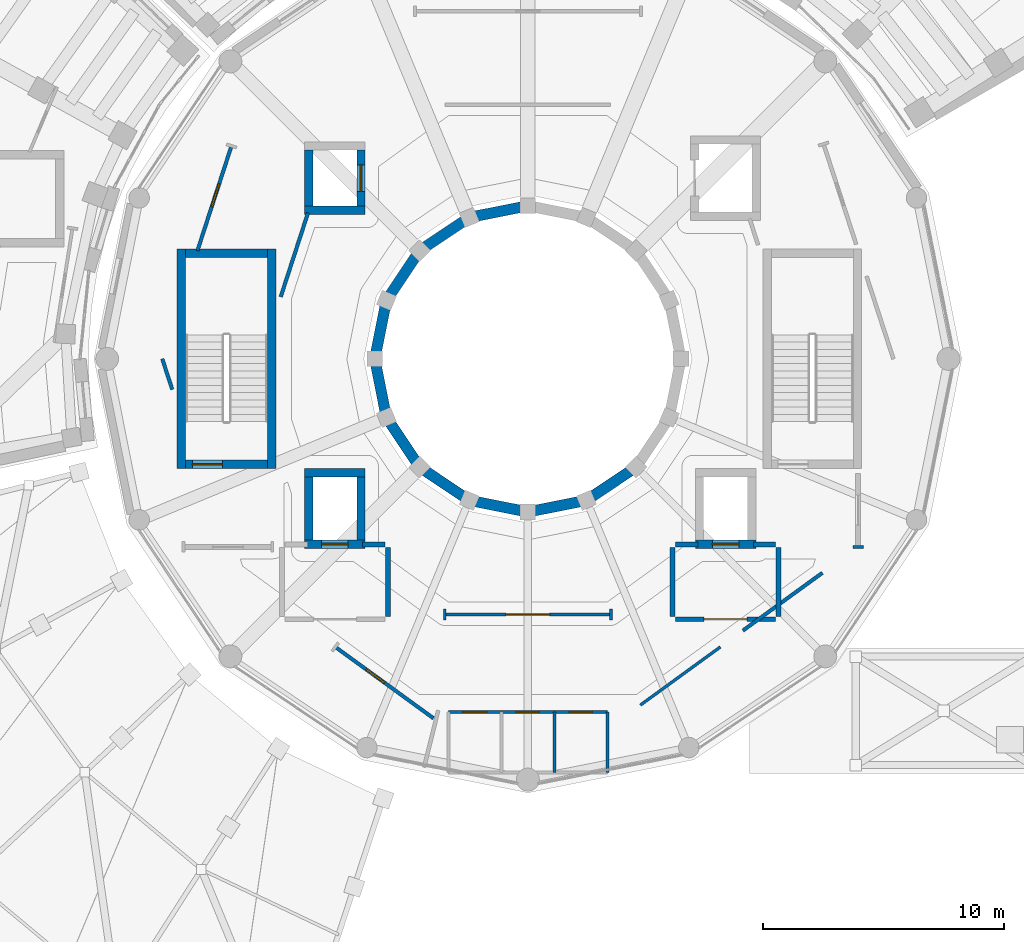
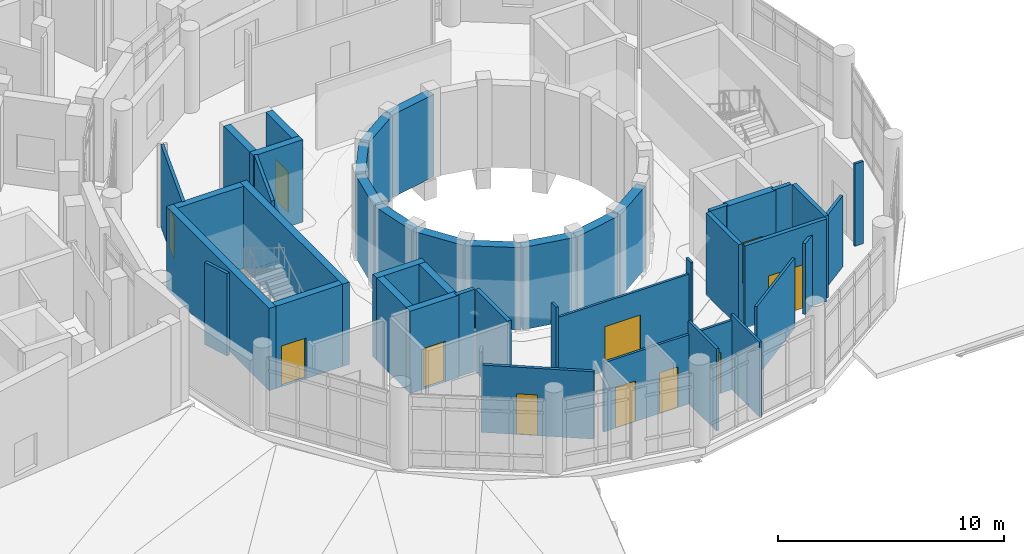
# One storey, part 50 of 75: 42 walls, 11 doors, 11 openings.
"""IFC4 building model written with IfcOpenShell, lengths in metres."""

from ifc_helpers import new_model, si_unit, direction, frame, frame_2d, origin, place, context, subcontext, project, spatial, rectangle, extrude, material, layer, layer_set, type_object, element, fill, save


model = new_model("IFC4")

# Units and contexts
model_context = context("Model", 3, precision=1e-05, world=origin(), true_north=direction((0.0, 1.0)))
body_context = subcontext(model_context, "Body", "Model", "MODEL_VIEW")
ifc_project = project(units=[si_unit("LENGTHUNIT", "METRE"), si_unit("AREAUNIT", "SQUARE_METRE"), si_unit("VOLUMEUNIT", "CUBIC_METRE"), si_unit("PLANEANGLEUNIT", "RADIAN"), si_unit("MASSUNIT", "GRAM", prefix="KILO")], contexts=[model_context])

# Site, building, storey
site_placement = place(None, origin())
site = spatial("IfcSite", under=ifc_project, at=site_placement, CompositionType="ELEMENT")
building_placement = place(site_placement, origin())
building = spatial("IfcBuilding", under=site, at=building_placement, Name="Soyqirgoq Riverine Aquarium", CompositionType="ELEMENT")
storey_placement = place(building_placement, frame((0.0, 0.0, 10.199951171875)))
storey = spatial("IfcBuildingStorey", under=building, at=storey_placement, Name="L03", CompositionType="ELEMENT", Elevation=10.199951171875)

# Wall, opening, door
ifc_material_1 = material(Name="Concrete C40/50", Category="concrete")
ifc_layer_1 = layer(ifc_material_1, 0.35009765625)
ifc_layer_set_1 = layer_set([ifc_layer_1], Name="Concrete C40/50")
wall_type_1 = type_object("IfcWallType", Name="CoreShearWall_350_C40", PredefinedType="SHEAR", material=ifc_layer_set_1)
wall_1_placement = place(storey_placement, frame((62.945068359375, 49.320068359375, 0.0), z_axis=(0.0, 0.0, 1.0), x_axis=(1.0, 0.0, 0.0)))
wall_1 = element("IfcWall", 1, at=wall_1_placement, inside=storey, type_object=wall_type_1, Name="Lift FFL-1 Shaft Wall L03 1", PredefinedType="SHEAR", context=body_context, shape_type="SweptSolid", body=[
    extrude(rectangle(XDim=2.510009765625, YDim=0.35009765625, at=frame_2d((1.2548828125, 0.0))), origin(), (0.0, 0.0, 1.0), 4.449951171875),
])
opening_1_placement = place(wall_1_placement, frame((0.705078125, 0.0, 0.0)))
opening_1 = element("IfcOpeningElement", 2, at=opening_1_placement, cuts=wall_1, Name="Opening LD-01", PredefinedType="OPENING", context=body_context, shape_type="SweptSolid", body=[
    extrude(rectangle(XDim=1.10009765625, YDim=2.199951171875, at=frame_2d((0.550048828125, 1.10009765625))), frame((0.0, 0.18505859375, 0.0), z_axis=(0.0, -1.0, 0.0), x_axis=(1.0, 0.0, 0.0)), (0.0, 0.0, 1.0), 0.3701171875),
])
ifc_material_2 = material(Name="Brushed stainless steel telescopic lift landing door", Category="steel")
door_type_1 = type_object("IfcDoorType", Name="LiftLandingDoor_1100x2200", OperationType="SLIDING_TO_LEFT", PredefinedType="DOOR", material=ifc_material_2)
door_1_placement = place(opening_1_placement, origin())
door_1 = element("IfcDoor", 3, at=door_1_placement, inside=storey, type_object=door_type_1, Name="LD-FFL-1-L03 Lift FFL-1 L03 Sliding Landing Door", OperationType="SLIDING_TO_LEFT", OverallHeight=2.199951171875, OverallWidth=1.10009765625, PredefinedType="DOOR", context=body_context, shape_type="SweptSolid", body=[
    extrude(rectangle(XDim=1.10009765625, YDim=2.199951171875, at=frame_2d((0.550048828125, 1.10009765625))), frame((0.0, 0.02490234375, 0.0), z_axis=(0.0, -1.0, 0.0), x_axis=(1.0, 0.0, 0.0)), (0.0, 0.0, 1.0), 0.050048828125),
])
fill(opening_1, door_1)

# Walls
wall_2_placement = place(storey_placement, frame((45.375, 52.449951171875, 0.0), z_axis=(0.0, 0.0, 1.0), x_axis=(0.0, 1.0, 0.0)))
element("IfcWall", 4, at=wall_2_placement, inside=storey, type_object=wall_type_1, Name="CORE-1B L03 Stair Core Shear Wall SIDE1", PredefinedType="SHEAR", context=body_context, shape_type="SweptSolid", body=[
    extrude(rectangle(XDim=9.10009765625, YDim=0.35009765625, at=frame_2d((4.550048828125, 0.0))), origin(), (0.0, 0.0, 1.0), 4.449951171875),
])
wall_3_placement = place(storey_placement, frame((45.199951171875, 61.375, 0.0), z_axis=(0.0, 0.0, 1.0), x_axis=(-1.0, 0.0, 0.0)))
element("IfcWall", 5, at=wall_3_placement, inside=storey, type_object=wall_type_1, Name="CORE-1B L03 Stair Core Shear Wall BACK", PredefinedType="SHEAR", context=body_context, shape_type="SweptSolid", body=[
    extrude(rectangle(XDim=3.39990234375, YDim=0.35009765625, at=frame_2d((1.699951171875, 0.0))), origin(), (0.0, 0.0, 1.0), 4.449951171875),
])
wall_4_placement = place(storey_placement, frame((41.625, 61.550048828125, 0.0), z_axis=(0.0, 0.0, 1.0), x_axis=(0.0, -1.0, 0.0)))
element("IfcWall", 6, at=wall_4_placement, inside=storey, type_object=wall_type_1, Name="CORE-1B L03 Stair Core Shear Wall SIDE2", PredefinedType="SHEAR", context=body_context, shape_type="SweptSolid", body=[
    extrude(rectangle(XDim=9.10009765625, YDim=0.35009765625, at=frame_2d((4.550048828125, 0.0))), origin(), (0.0, 0.0, 1.0), 4.449951171875),
])

# Wall, opening, door
wall_5_placement = place(storey_placement, frame((41.800048828125, 52.625, 0.0), z_axis=(0.0, 0.0, 1.0), x_axis=(1.0, 0.0, 0.0)))
wall_5 = element("IfcWall", 7, at=wall_5_placement, inside=storey, type_object=wall_type_1, Name="CORE-1B L03 Stair Core Shear Wall FRONT", PredefinedType="SHEAR", context=body_context, shape_type="SweptSolid", body=[
    extrude(rectangle(XDim=3.39990234375, YDim=0.35009765625, at=frame_2d((1.699951171875, 0.0))), origin(), (0.0, 0.0, 1.0), 4.449951171875),
])
opening_2_placement = place(wall_5_placement, frame((0.280029296875, 0.0, 0.0)))
opening_2 = element("IfcOpeningElement", 8, at=opening_2_placement, cuts=wall_5, Name="Opening FD-01", PredefinedType="OPENING", context=body_context, shape_type="SweptSolid", body=[
    extrude(rectangle(XDim=1.25, YDim=2.199951171875, at=frame_2d((0.625, 1.10009765625))), frame((0.0, 0.18505859375, 0.0), z_axis=(0.0, -1.0, 0.0), x_axis=(1.0, 0.0, 0.0)), (0.0, 0.0, 1.0), 0.3701171875),
])
ifc_material_3 = material(Name="Galvanised steel fire-resisting stair door", Category="steel")
door_type_2 = type_object("IfcDoorType", Name="StairFireDoor_1250x2200_EI90", OperationType="NOTDEFINED", PredefinedType="DOOR", material=ifc_material_3)
door_2_placement = place(opening_2_placement, origin())
door_2 = element("IfcDoor", 9, at=door_2_placement, inside=storey, type_object=door_type_2, Name="DR-ST-9-L03 ST-9 L03 Fire-Rated Stairwell Door", OperationType="SINGLE_SWING_RIGHT", OverallHeight=2.199951171875, OverallWidth=1.25, PredefinedType="DOOR", context=body_context, shape_type="SweptSolid", body=[
    extrude(rectangle(XDim=1.25, YDim=2.199951171875, at=frame_2d((0.625, 1.10009765625))), frame((0.0, 0.02490234375, 0.0), z_axis=(0.0, -1.0, 0.0), x_axis=(1.0, 0.0, 0.0)), (0.0, 0.0, 1.0), 0.050048828125),
])
fill(opening_2, door_2)

wall_6_placement = place(storey_placement, frame((46.7451171875, 49.320068359375, 0.0), z_axis=(0.0, 0.0, 1.0), x_axis=(1.0, 0.0, 0.0)))
wall_6 = element("IfcWall", 10, at=wall_6_placement, inside=storey, type_object=wall_type_1, Name="Lift FFL-2 Shaft Wall L03 1", PredefinedType="SHEAR", context=body_context, shape_type="SweptSolid", body=[
    extrude(rectangle(XDim=2.509765625, YDim=0.35009765625, at=frame_2d((1.2548828125, 0.0))), origin(), (0.0, 0.0, 1.0), 4.449951171875),
])
opening_3_placement = place(wall_6_placement, frame((0.705078125, 0.0, 0.0)))
opening_3 = element("IfcOpeningElement", 11, at=opening_3_placement, cuts=wall_6, Name="Opening LD-01", PredefinedType="OPENING", context=body_context, shape_type="SweptSolid", body=[
    extrude(rectangle(XDim=1.10009765625, YDim=2.199951171875, at=frame_2d((0.550048828125, 1.10009765625))), frame((0.0, 0.18505859375, 0.0), z_axis=(0.0, -1.0, 0.0), x_axis=(1.0, 0.0, 0.0)), (0.0, 0.0, 1.0), 0.3701171875),
])
door_3_placement = place(opening_3_placement, origin())
door_3 = element("IfcDoor", 12, at=door_3_placement, inside=storey, type_object=door_type_1, Name="LD-FFL-2-L03 Lift FFL-2 L03 Sliding Landing Door", OperationType="SLIDING_TO_LEFT", OverallHeight=2.199951171875, OverallWidth=1.10009765625, PredefinedType="DOOR", context=body_context, shape_type="SweptSolid", body=[
    extrude(rectangle(XDim=1.10009765625, YDim=2.199951171875, at=frame_2d((0.550048828125, 1.10009765625))), frame((0.0, 0.02490234375, 0.0), z_axis=(0.0, -1.0, 0.0), x_axis=(1.0, 0.0, 0.0)), (0.0, 0.0, 1.0), 0.050048828125),
])
fill(opening_3, door_3)

# Walls
wall_7_placement = place(storey_placement, frame((49.080078125, 49.4951171875, 0.0), z_axis=(0.0, 0.0, 1.0), x_axis=(0.0, 1.0, 0.0)))
element("IfcWall", 13, at=wall_7_placement, inside=storey, type_object=wall_type_1, Name="Lift FFL-2 Shaft Wall L03 2", PredefinedType="SHEAR", context=body_context, shape_type="SweptSolid", body=[
    extrude(rectangle(XDim=2.60986328125, YDim=0.35009765625, at=frame_2d((1.304931640625, 0.0))), origin(), (0.0, 0.0, 1.0), 4.449951171875),
])
wall_8_placement = place(storey_placement, frame((49.2548828125, 52.280029296875, 0.0), z_axis=(0.0, 0.0, 1.0), x_axis=(-1.0, 0.0, 0.0)))
element("IfcWall", 14, at=wall_8_placement, inside=storey, type_object=wall_type_1, Name="Lift FFL-2 Shaft Wall L03 3", PredefinedType="SHEAR", context=body_context, shape_type="SweptSolid", body=[
    extrude(rectangle(XDim=2.509765625, YDim=0.35009765625, at=frame_2d((1.2548828125, 0.0))), origin(), (0.0, 0.0, 1.0), 4.449951171875),
])
wall_9_placement = place(storey_placement, frame((46.919921875, 52.10498046875, 0.0), z_axis=(0.0, 0.0, 1.0), x_axis=(0.0, -1.0, 0.0)))
element("IfcWall", 15, at=wall_9_placement, inside=storey, type_object=wall_type_1, Name="Lift FFL-2 Shaft Wall L03 4", PredefinedType="SHEAR", context=body_context, shape_type="SweptSolid", body=[
    extrude(rectangle(XDim=2.60986328125, YDim=0.35009765625, at=frame_2d((1.304931640625, 0.0))), origin(), (0.0, 0.0, 1.0), 4.449951171875),
])
wall_10_placement = place(storey_placement, frame((46.7451171875, 63.169921875, 0.0), z_axis=(0.0, 0.0, 1.0), x_axis=(1.0, 0.0, 0.0)))
element("IfcWall", 16, at=wall_10_placement, inside=storey, type_object=wall_type_1, Name="Lift PL-1 Shaft Wall L03 1", PredefinedType="SHEAR", context=body_context, shape_type="SweptSolid", body=[
    extrude(rectangle(XDim=2.509765625, YDim=0.35009765625, at=frame_2d((1.2548828125, 0.0))), origin(), (0.0, 0.0, 1.0), 4.449951171875),
])

# Wall, opening, door
wall_11_placement = place(storey_placement, frame((49.080078125, 63.344970703125, 0.0), z_axis=(0.0, 0.0, 1.0), x_axis=(0.0, 1.0, 0.0)))
wall_11 = element("IfcWall", 17, at=wall_11_placement, inside=storey, type_object=wall_type_1, Name="Lift PL-1 Shaft Wall L03 2", PredefinedType="SHEAR", context=body_context, shape_type="SweptSolid", body=[
    extrude(rectangle(XDim=2.31005859375, YDim=0.35009765625, at=frame_2d((1.155029296875, 0.0))), origin(), (0.0, 0.0, 1.0), 4.449951171875),
])
opening_4_placement = place(wall_11_placement, frame((0.60498046875, 0.0, 0.0)))
opening_4 = element("IfcOpeningElement", 18, at=opening_4_placement, cuts=wall_11, Name="Opening LD-01", PredefinedType="OPENING", context=body_context, shape_type="SweptSolid", body=[
    extrude(rectangle(XDim=1.10009765625, YDim=2.199951171875, at=frame_2d((0.550048828125, 1.10009765625))), frame((0.0, 0.18505859375, 0.0), z_axis=(0.0, -1.0, 0.0), x_axis=(1.0, 0.0, 0.0)), (0.0, 0.0, 1.0), 0.3701171875),
])
door_4_placement = place(opening_4_placement, origin())
door_4 = element("IfcDoor", 19, at=door_4_placement, inside=storey, type_object=door_type_1, Name="LD-PL-1-L03 Lift PL-1 L03 Sliding Landing Door", OperationType="SLIDING_TO_LEFT", OverallHeight=2.199951171875, OverallWidth=1.10009765625, PredefinedType="DOOR", context=body_context, shape_type="SweptSolid", body=[
    extrude(rectangle(XDim=1.10009765625, YDim=2.199951171875, at=frame_2d((0.550048828125, 1.10009765625))), frame((0.0, 0.02490234375, 0.0), z_axis=(0.0, -1.0, 0.0), x_axis=(1.0, 0.0, 0.0)), (0.0, 0.0, 1.0), 0.050048828125),
])
fill(opening_4, door_4)

# Walls
wall_12_placement = place(storey_placement, frame((46.919921875, 65.655029296875, 0.0), z_axis=(0.0, 0.0, 1.0), x_axis=(0.0, -1.0, 0.0)))
element("IfcWall", 20, at=wall_12_placement, inside=storey, type_object=wall_type_1, Name="Lift PL-1 Shaft Wall L03 4", PredefinedType="SHEAR", context=body_context, shape_type="SweptSolid", body=[
    extrude(rectangle(XDim=2.31005859375, YDim=0.35009765625, at=frame_2d((1.155029296875, 0.0))), origin(), (0.0, 0.0, 1.0), 4.449951171875),
])
ifc_material_4 = material(Name="Concrete C40/50", Category="concrete")
ifc_layer_2 = layer(ifc_material_4, 0.449951171875)
ifc_layer_set_2 = layer_set([ifc_layer_2], Name="Concrete C40/50")
wall_type_2 = type_object("IfcWallType", Name="CoreShearWall_450_C40", PredefinedType="SHEAR", material=ifc_layer_set_2)
wall_13_placement = place(storey_placement, frame((56.0, 63.35009765625, 0.0), z_axis=(0.0, 0.0, 1.0), x_axis=(-0.980781033872, -0.195111669554, 0.0)))
element("IfcWall", 21, at=wall_13_placement, inside=storey, type_object=wall_type_2, Name="Ocean Tank Containment Wall Segment 05 L03", PredefinedType="SHEAR", context=body_context, shape_type="SweptSolid", body=[
    extrude(rectangle(XDim=2.4775390625, YDim=0.449951171875, at=frame_2d((1.23876953125, 0.0))), origin(), (0.0, 0.0, 1.0), 4.449951171875),
])
for number, where, z_axis, x_axis, name in (
    (22, (53.570068359375, 62.86669921875, 0.0), (0.0, 0.0, 1.0), (-0.831428251117, -0.55563212942, 0.0), "Ocean Tank Containment Wall Segment 06 L03"),
    (23, (51.510009765625, 61.489990234375, 0.0), (0.0, 0.0, 1.0), (-0.55563212942, -0.831428251117, 0.0), "Ocean Tank Containment Wall Segment 07 L03"),
):
    element("IfcWall", number, at=place(storey_placement, frame(where, z_axis=z_axis, x_axis=x_axis)), inside=storey, type_object=wall_type_2, Name=name, PredefinedType="SHEAR", context=body_context, shape_type="SweptSolid", body=[
        extrude(rectangle(XDim=2.477783203125, YDim=0.449951171875, at=frame_2d((1.23876953125, 0.0))), origin(), (0.0, 0.0, 1.0), 4.449951171875),
    ])
for number, where, z_axis, x_axis, name in (
    (24, (50.13330078125, 59.429931640625, 0.0), (0.0, 0.0, 1.0), (-0.195111669554, -0.980781033872, 0.0), "Ocean Tank Containment Wall Segment 08 L03"),
    (25, (49.64990234375, 57.0, 0.0), (0.0, 0.0, 1.0), (0.195111669554, -0.980781033872, 0.0), "Ocean Tank Containment Wall Segment 09 L03"),
):
    element("IfcWall", number, at=place(storey_placement, frame(where, z_axis=z_axis, x_axis=x_axis)), inside=storey, type_object=wall_type_2, Name=name, PredefinedType="SHEAR", context=body_context, shape_type="SweptSolid", body=[
        extrude(rectangle(XDim=2.4775390625, YDim=0.449951171875, at=frame_2d((1.23876953125, 0.0))), origin(), (0.0, 0.0, 1.0), 4.449951171875),
    ])
for number, where, z_axis, x_axis, name in (
    (26, (50.13330078125, 54.570068359375, 0.0), (0.0, 0.0, 1.0), (0.55563212942, -0.831428251117, 0.0), "Ocean Tank Containment Wall Segment 10 L03"),
    (27, (51.510009765625, 52.510009765625, 0.0), (0.0, 0.0, 1.0), (0.831428251117, -0.55563212942, 0.0), "Ocean Tank Containment Wall Segment 11 L03"),
):
    element("IfcWall", number, at=place(storey_placement, frame(where, z_axis=z_axis, x_axis=x_axis)), inside=storey, type_object=wall_type_2, Name=name, PredefinedType="SHEAR", context=body_context, shape_type="SweptSolid", body=[
        extrude(rectangle(XDim=2.477783203125, YDim=0.449951171875, at=frame_2d((1.23876953125, 0.0))), origin(), (0.0, 0.0, 1.0), 4.449951171875),
    ])
for number, where, z_axis, x_axis, name in (
    (28, (53.570068359375, 51.13330078125, 0.0), (0.0, 0.0, 1.0), (0.980781033872, -0.195111669554, 0.0), "Ocean Tank Containment Wall Segment 12 L03"),
    (29, (56.0, 50.64990234375, 0.0), (0.0, 0.0, 1.0), (0.980781033872, 0.195111669554, 0.0), "Ocean Tank Containment Wall Segment 13 L03"),
):
    element("IfcWall", number, at=place(storey_placement, frame(where, z_axis=z_axis, x_axis=x_axis)), inside=storey, type_object=wall_type_2, Name=name, PredefinedType="SHEAR", context=body_context, shape_type="SweptSolid", body=[
        extrude(rectangle(XDim=2.4775390625, YDim=0.449951171875, at=frame_2d((1.23876953125, 0.0))), origin(), (0.0, 0.0, 1.0), 4.449951171875),
    ])
wall_14_placement = place(storey_placement, frame((58.429931640625, 51.13330078125, 0.0), z_axis=(0.0, 0.0, 1.0), x_axis=(0.831428251117, 0.55563212942, 0.0)))
element("IfcWall", 30, at=wall_14_placement, inside=storey, type_object=wall_type_2, Name="Ocean Tank Containment Wall Segment 14 L03", PredefinedType="SHEAR", context=body_context, shape_type="SweptSolid", body=[
    extrude(rectangle(XDim=2.477783203125, YDim=0.449951171875, at=frame_2d((1.23876953125, 0.0))), origin(), (0.0, 0.0, 1.0), 4.449951171875),
])

# Wall, opening, door
ifc_material_5 = material(Name="Lightweight steel-stud gypsum partition", Category="steel")
ifc_layer_3 = layer(ifc_material_5, 0.1201171875)
ifc_layer_set_3 = layer_set([ifc_layer_3], Name="Lightweight steel-stud gypsum partition")
wall_type_3 = type_object("IfcWallType", Name="PartitionWall_120_Std", PredefinedType="PARTITIONING", material=ifc_layer_set_3)
wall_15_placement = place(storey_placement, frame((59.445556640625, 46.395751953125, 0.0), z_axis=(0.0, 0.0, 1.0), x_axis=(-1.0, 0.0, 0.0)))
wall_15 = element("IfcWall", 31, at=wall_15_placement, inside=storey, type_object=wall_type_3, Name="Ocean Drum Circulation Corridor Partition Wall", PredefinedType="PARTITIONING", context=body_context, shape_type="SweptSolid", body=[
    extrude(rectangle(XDim=6.89111328125, YDim=0.1201171875, at=frame_2d((3.445556640625, 0.0))), origin(), (0.0, 0.0, 1.0), 3.739990234375),
])
opening_5_placement = place(wall_15_placement, frame((2.54541015625, 0.0, 0.0)))
opening_5 = element("IfcOpeningElement", 32, at=opening_5_placement, cuts=wall_15, Name="Opening ID-01", PredefinedType="OPENING", context=body_context, shape_type="SweptSolid", body=[
    extrude(rectangle(XDim=1.800048828125, YDim=2.39990234375, at=frame_2d((0.89990234375, 1.199951171875))), frame((0.0, 0.070068359375, 0.0), z_axis=(0.0, -1.0, 0.0), x_axis=(1.0, 0.0, 0.0)), (0.0, 0.0, 1.0), 0.14013671875),
])
ifc_material_6 = material(Name="Acoustic timber-framed glazed gallery double door", Category="wood")
door_type_3 = type_object("IfcDoorType", Name="GalleryDoubleDoor_1800x2400", OperationType="DOUBLE_DOOR_SINGLE_SWING", PredefinedType="DOOR", material=ifc_material_6)
door_5_placement = place(opening_5_placement, origin())
door_5 = element("IfcDoor", 33, at=door_5_placement, inside=storey, type_object=door_type_3, Name="IDR-V1-L03-0038 Kelp Canopy Viewing Terrace Room Door", OperationType="DOUBLE_DOOR_SINGLE_SWING", OverallHeight=2.39990234375, OverallWidth=1.800048828125, PredefinedType="DOOR", context=body_context, shape_type="SweptSolid", body=[
    extrude(rectangle(XDim=1.800048828125, YDim=2.39990234375, at=frame_2d((0.89990234375, 1.199951171875))), frame((0.0, 0.02490234375, 0.0), z_axis=(0.0, -1.0, 0.0), x_axis=(1.0, 0.0, 0.0)), (0.0, 0.0, 1.0), 0.050048828125),
])
fill(opening_5, door_5)

# Walls
wall_16_placement = place(storey_placement, frame((60.666259765625, 42.638916015625, 0.0), z_axis=(0.0, 0.0, 1.0), x_axis=(0.808993389874, 0.587817739729, 0.0)))
element("IfcWall", 34, at=wall_16_placement, inside=storey, type_object=wall_type_3, Name="Ocean Drum Circulation Corridor Partition Wall", PredefinedType="PARTITIONING", context=body_context, shape_type="SweptSolid", body=[
    extrude(rectangle(XDim=4.101806640625, YDim=0.1201171875, at=frame_2d((2.05078125, 0.0))), origin(), (0.0, 0.0, 1.0), 3.7900390625),
])
for number, where, z_axis, x_axis, name in (
    (35, (69.919921875, 49.199951171875, 0.0), (0.0, 0.0, 1.0), (-1.0, 0.0, 0.0), "V1 L03 Jamb Return Pier"),
    (36, (59.445556640625, 46.61572265625, 0.0), (0.0, 0.0, 1.0), (0.0, -1.0, 0.0), "V1 L03 Jamb Return Pier"),
    (37, (52.554443359375, 46.61572265625, 0.0), (0.0, 0.0, 1.0), (0.0, -1.0, 0.0), "V1 L03 Jamb Return Pier"),
):
    element("IfcWall", number, at=place(storey_placement, frame(where, z_axis=z_axis, x_axis=x_axis)), inside=storey, type_object=wall_type_3, Name=name, PredefinedType="PARTITIONING", context=body_context, shape_type="SweptSolid", body=[
        extrude(rectangle(XDim=0.43994140625, YDim=0.1201171875, at=frame_2d((0.219970703125, 0.0))), origin(), (0.0, 0.0, 1.0), 4.449951171875),
    ])

# Wall, openings, doors
ifc_material_7 = material(Name="Moisture-resistant cement-board wet-room partition", Category="gypsum")
ifc_layer_4 = layer(ifc_material_7, 0.125)
ifc_layer_set_4 = layer_set([ifc_layer_4], Name="Moisture-resistant cement-board wet-room partition")
wall_type_4 = type_object("IfcWallType", Name="PartitionWall_125_Wet", PredefinedType="PARTITIONING", material=ifc_layer_set_4)
wall_17_placement = place(storey_placement, frame((52.699951171875, 42.35009765625, 0.0), z_axis=(0.0, 0.0, 1.0), x_axis=(1.0, 0.0, 0.0)))
wall_17 = element("IfcWall", 38, at=wall_17_placement, inside=storey, type_object=wall_type_4, Name="V1 L03 WC Suite Front Wall", PredefinedType="PARTITIONING", context=body_context, shape_type="SweptSolid", body=[
    extrude(rectangle(XDim=6.60009765625, YDim=0.125, at=frame_2d((3.300048828125, 0.0))), origin(), (0.0, 0.0, 1.0), 3.739990234375),
])
opening_6_placement = place(wall_17_placement, frame((0.60009765625, 0.0, 0.0)))
opening_6 = element("IfcOpeningElement", 39, at=opening_6_placement, cuts=wall_17, Name="Opening ID-05", PredefinedType="OPENING", context=body_context, shape_type="SweptSolid", body=[
    extrude(rectangle(XDim=1.0, YDim=2.199951171875, at=frame_2d((0.5, 1.10009765625))), frame((0.0, 0.072509765625, 0.0), z_axis=(0.0, -1.0, 0.0), x_axis=(1.0, 0.0, 0.0)), (0.0, 0.0, 1.0), 0.14501953125),
])
opening_7_placement = place(wall_17_placement, frame((2.824951171875, 0.0, 0.0)))
opening_7 = element("IfcOpeningElement", 40, at=opening_7_placement, cuts=wall_17, Name="Opening ID-06", PredefinedType="OPENING", context=body_context, shape_type="SweptSolid", body=[
    extrude(rectangle(XDim=0.949951171875, YDim=2.199951171875, at=frame_2d((0.47509765625, 1.10009765625))), frame((0.0, 0.072509765625, 0.0), z_axis=(0.0, -1.0, 0.0), x_axis=(1.0, 0.0, 0.0)), (0.0, 0.0, 1.0), 0.14501953125),
])
opening_8_placement = place(wall_17_placement, frame((5.02490234375, 0.0, 0.0)))
opening_8 = element("IfcOpeningElement", 41, at=opening_8_placement, cuts=wall_17, Name="Opening ID-06", PredefinedType="OPENING", context=body_context, shape_type="SweptSolid", body=[
    extrude(rectangle(XDim=0.949951171875, YDim=2.199951171875, at=frame_2d((0.47509765625, 1.10009765625))), frame((0.0, 0.072509765625, 0.0), z_axis=(0.0, -1.0, 0.0), x_axis=(1.0, 0.0, 0.0)), (0.0, 0.0, 1.0), 0.14501953125),
])
ifc_material_8 = material(Name="Moisture-resistant HPL accessible washroom door", Category="wood")
door_type_4 = type_object("IfcDoorType", Name="AccessibleWCDoor_1000x2200", OperationType="NOTDEFINED", PredefinedType="DOOR", material=ifc_material_8)
door_6_placement = place(opening_6_placement, origin())
door_6 = element("IfcDoor", 42, at=door_6_placement, inside=storey, type_object=door_type_4, Name="IDR-V1-L03-0033 Accessible WC Door", OperationType="SINGLE_SWING_RIGHT", OverallHeight=2.199951171875, OverallWidth=1.0, PredefinedType="DOOR", context=body_context, shape_type="SweptSolid", body=[
    extrude(rectangle(XDim=1.0, YDim=2.199951171875, at=frame_2d((0.5, 1.10009765625))), frame((0.0, 0.02490234375, 0.0), z_axis=(0.0, -1.0, 0.0), x_axis=(1.0, 0.0, 0.0)), (0.0, 0.0, 1.0), 0.050048828125),
])
fill(opening_6, door_6)
ifc_material_9 = material(Name="Moisture-resistant HPL washroom door", Category="wood")
door_type_5 = type_object("IfcDoorType", Name="WCDoor_950x2200", OperationType="NOTDEFINED", PredefinedType="DOOR", material=ifc_material_9)
door_7_placement = place(opening_7_placement, origin())
door_7 = element("IfcDoor", 43, at=door_7_placement, inside=storey, type_object=door_type_5, Name="IDR-V1-L03-0034 Public Female WC Door", OperationType="SINGLE_SWING_LEFT", OverallHeight=2.199951171875, OverallWidth=0.949951171875, PredefinedType="DOOR", context=body_context, shape_type="SweptSolid", body=[
    extrude(rectangle(XDim=0.949951171875, YDim=2.199951171875, at=frame_2d((0.47509765625, 1.10009765625))), frame((0.0, 0.02490234375, 0.0), z_axis=(0.0, -1.0, 0.0), x_axis=(1.0, 0.0, 0.0)), (0.0, 0.0, 1.0), 0.050048828125),
])
fill(opening_7, door_7)
door_8_placement = place(opening_8_placement, origin())
door_8 = element("IfcDoor", 44, at=door_8_placement, inside=storey, type_object=door_type_5, Name="IDR-V1-L03-0035 Public Male WC Door", OperationType="SINGLE_SWING_RIGHT", OverallHeight=2.199951171875, OverallWidth=0.949951171875, PredefinedType="DOOR", context=body_context, shape_type="SweptSolid", body=[
    extrude(rectangle(XDim=0.949951171875, YDim=2.199951171875, at=frame_2d((0.47509765625, 1.10009765625))), frame((0.0, 0.02490234375, 0.0), z_axis=(0.0, -1.0, 0.0), x_axis=(1.0, 0.0, 0.0)), (0.0, 0.0, 1.0), 0.050048828125),
])
fill(opening_8, door_8)

# Walls
wall_18_placement = place(storey_placement, frame((59.300048828125, 39.85009765625, 0.0), z_axis=(0.0, 0.0, 1.0), x_axis=(0.0, 1.0, 0.0)))
element("IfcWall", 45, at=wall_18_placement, inside=storey, type_object=wall_type_4, Name="V1 L03 WC Suite East Wall", PredefinedType="PARTITIONING", context=body_context, shape_type="SweptSolid", body=[
    extrude(rectangle(XDim=2.5, YDim=0.125, at=frame_2d((1.25, 0.0))), origin(), (0.0, 0.0, 1.0), 4.0400390625),
])
wall_19_placement = place(storey_placement, frame((57.10009765625, 39.85009765625, 0.0), z_axis=(0.0, 0.0, 1.0), x_axis=(0.0, 1.0, 0.0)))
element("IfcWall", 46, at=wall_19_placement, inside=storey, type_object=wall_type_4, Name="V1 L03 WC Cubicle Divider 2", PredefinedType="PARTITIONING", context=body_context, shape_type="SweptSolid", body=[
    extrude(rectangle(XDim=2.5, YDim=0.125, at=frame_2d((1.25, 0.0))), origin(), (0.0, 0.0, 1.0), 4.449951171875),
])

# Wall, opening, door
ifc_material_10 = material(Name="Acoustic mineral-wool twin-stud partition", Category="gypsum")
ifc_layer_5 = layer(ifc_material_10, 0.14990234375)
ifc_layer_set_5 = layer_set([ifc_layer_5], Name="Acoustic mineral-wool twin-stud partition")
wall_type_5 = type_object("IfcWallType", Name="PartitionWall_150_Acoustic", PredefinedType="PARTITIONING", material=ifc_layer_set_5)
wall_20_placement = place(storey_placement, frame((48.015380859375, 45.050048828125, 0.0), z_axis=(0.0, 0.0, 1.0), x_axis=(0.809025533779, -0.587773498632, 0.0)))
wall_20 = element("IfcWall", 47, at=wall_20_placement, inside=storey, type_object=wall_type_5, Name="Ocean Drum Circulation Corridor Partition Wall", PredefinedType="PARTITIONING", context=body_context, shape_type="SweptSolid", body=[
    extrude(rectangle(XDim=5.03173828125, YDim=0.14990234375, at=frame_2d((2.515869140625, 0.0))), origin(), (0.0, 0.0, 1.0), 3.64013671875),
])
opening_9_placement = place(wall_20_placement, frame((1.575927734375, 0.0, 0.0)))
opening_9 = element("IfcOpeningElement", 48, at=opening_9_placement, cuts=wall_20, Name="Opening ID-06", PredefinedType="OPENING", context=body_context, shape_type="SweptSolid", body=[
    extrude(rectangle(XDim=0.949951171875, YDim=2.199951171875, at=frame_2d((0.47509765625, 1.10009765625))), frame((0.0, 0.0849609375, 0.0), z_axis=(0.0, -1.0, 0.0), x_axis=(1.0, 0.0, 0.0)), (0.0, 0.0, 1.0), 0.169921875),
])
door_9_placement = place(opening_9_placement, origin())
door_9 = element("IfcDoor", 49, at=door_9_placement, inside=storey, type_object=door_type_5, Name="IDR-V1-L03-0042 Ocean Drum Circulation Corridor Access Door", OperationType="SINGLE_SWING_RIGHT", OverallHeight=2.199951171875, OverallWidth=0.949951171875, PredefinedType="DOOR", context=body_context, shape_type="SweptSolid", body=[
    extrude(rectangle(XDim=0.949951171875, YDim=2.199951171875, at=frame_2d((0.47509765625, 1.10009765625))), frame((0.0, 0.02490234375, 0.0), z_axis=(0.0, -1.0, 0.0), x_axis=(1.0, 0.0, 0.0)), (0.0, 0.0, 1.0), 0.050048828125),
])
fill(opening_9, door_9)

# Wall
wall_21_placement = place(storey_placement, frame((64.919921875, 45.7294921875, 0.0), z_axis=(0.0, 0.0, 1.0), x_axis=(0.809010646545, 0.587793989232, 0.0)))
element("IfcWall", 50, at=wall_21_placement, inside=storey, type_object=wall_type_5, Name="Ocean Drum Circulation Corridor Partition Wall", PredefinedType="PARTITIONING", context=body_context, shape_type="SweptSolid", body=[
    extrude(rectangle(XDim=4.07470703125, YDim=0.14990234375, at=frame_2d((2.037353515625, 0.0))), origin(), (0.0, 0.0, 1.0), 3.840087890625),
])

# Wall, opening, door
wall_22_placement = place(storey_placement, frame((42.29541015625, 61.489013671875, 0.0), z_axis=(0.0, 0.0, 1.0), x_axis=(0.309018385136, 0.951056064408, 0.0)))
wall_22 = element("IfcWall", 51, at=wall_22_placement, inside=storey, type_object=wall_type_5, Name="Ocean Tank Panorama Gallery Partition Wall", PredefinedType="PARTITIONING", context=body_context, shape_type="SweptSolid", body=[
    extrude(rectangle(XDim=4.5673828125, YDim=0.14990234375, at=frame_2d((2.28369140625, 0.0))), origin(), (0.0, 0.0, 1.0), 4.449951171875),
])
opening_10_placement = place(wall_22_placement, frame((1.920654296875, 0.0, 0.0)))
opening_10 = element("IfcOpeningElement", 52, at=opening_10_placement, cuts=wall_22, Name="Opening ID-03", PredefinedType="OPENING", context=body_context, shape_type="SweptSolid", body=[
    extrude(rectangle(XDim=1.0, YDim=2.199951171875, at=frame_2d((0.5, 1.10009765625))), frame((0.0, 0.0849609375, 0.0), z_axis=(0.0, -1.0, 0.0), x_axis=(1.0, 0.0, 0.0)), (0.0, 0.0, 1.0), 0.169921875),
])
ifc_material_11 = material(Name="Solid-core ash veneer room door", Category="wood")
door_type_6 = type_object("IfcDoorType", Name="RoomDoor_1000x2200", OperationType="NOTDEFINED", PredefinedType="DOOR", material=ifc_material_11)
door_10_placement = place(opening_10_placement, origin())
door_10 = element("IfcDoor", 53, at=door_10_placement, inside=storey, type_object=door_type_6, Name="IDR-V1-L03-0041 Ocean Drum Circulation Corridor Door", OperationType="SINGLE_SWING_LEFT", OverallHeight=2.199951171875, OverallWidth=1.0, PredefinedType="DOOR", context=body_context, shape_type="SweptSolid", body=[
    extrude(rectangle(XDim=1.0, YDim=2.199951171875, at=frame_2d((0.5, 1.10009765625))), frame((0.0, 0.02490234375, 0.0), z_axis=(0.0, -1.0, 0.0), x_axis=(1.0, 0.0, 0.0)), (0.0, 0.0, 1.0), 0.050048828125),
])
fill(opening_10, door_10)

# Walls
wall_23_placement = place(storey_placement, frame((41.25, 55.728515625, 0.0), z_axis=(0.0, 0.0, 1.0), x_axis=(-0.30898696848, 0.951066271776, 0.0)))
element("IfcWall", 54, at=wall_23_placement, inside=storey, type_object=wall_type_5, Name="Ocean Tank Panorama Gallery Partition Wall", PredefinedType="PARTITIONING", context=body_context, shape_type="SweptSolid", body=[
    extrude(rectangle(XDim=1.3369140625, YDim=0.14990234375, at=frame_2d((0.66845703125, 0.0))), origin(), (0.0, 0.0, 1.0), 4.449951171875),
])
wall_24_placement = place(storey_placement, frame((46.880859375, 63.055908203125, 0.0), z_axis=(0.0, 0.0, 1.0), x_axis=(-0.3090332715, -0.951051227383, 0.0)))
element("IfcWall", 55, at=wall_24_placement, inside=storey, type_object=wall_type_5, Name="Kelp Canopy Viewing Terrace Room Partition Wall", PredefinedType="PARTITIONING", context=body_context, shape_type="SweptSolid", body=[
    extrude(rectangle(XDim=3.659423828125, YDim=0.14990234375, at=frame_2d((1.82958984375, 0.0))), origin(), (0.0, 0.0, 1.0), 4.449951171875),
])

# Wall, opening, door
ifc_material_12 = material(Name="Fire-rated calcium silicate twin-stud partition", Category="gypsum")
ifc_layer_6 = layer(ifc_material_12, 0.199951171875)
ifc_layer_set_6 = layer_set([ifc_layer_6], Name="Fire-rated calcium silicate twin-stud partition")
wall_type_6 = type_object("IfcWallType", Name="PartitionWall_200_EI90", PredefinedType="PARTITIONING", material=ifc_layer_set_6)
wall_25_placement = place(storey_placement, frame((62.1201171875, 46.199951171875, 0.0), z_axis=(0.0, 0.0, 1.0), x_axis=(1.0, 0.0, 0.0)))
wall_25 = element("IfcWall", 56, at=wall_25_placement, inside=storey, type_object=wall_type_6, Name="CORE-1 L03 Firefighting Lobby South Enclosure Wall", PredefinedType="PARTITIONING", context=body_context, shape_type="SweptSolid", body=[
    extrude(rectangle(XDim=4.159912109375, YDim=0.199951171875, at=frame_2d((2.080078125, 0.0))), origin(), (0.0, 0.0, 1.0), 4.449951171875),
])
opening_11_placement = place(wall_25_placement, frame((1.179931640625, 0.0, 0.0)))
opening_11 = element("IfcOpeningElement", 57, at=opening_11_placement, cuts=wall_25, Name="Opening FD-02", PredefinedType="OPENING", context=body_context, shape_type="SweptSolid", body=[
    extrude(rectangle(XDim=1.800048828125, YDim=2.39990234375, at=frame_2d((0.89990234375, 1.199951171875))), frame((0.0, 0.10986328125, 0.0), z_axis=(0.0, -1.0, 0.0), x_axis=(1.0, 0.0, 0.0)), (0.0, 0.0, 1.0), 0.219970703125),
])
ifc_material_13 = material(Name="Glazed steel fire-resisting corridor double door", Category="steel")
door_type_7 = type_object("IfcDoorType", Name="LobbyFireDoor_1800x2400_EI60", OperationType="DOUBLE_DOOR_SINGLE_SWING", PredefinedType="DOOR", material=ifc_material_13)
door_11_placement = place(opening_11_placement, origin())
door_11 = element("IfcDoor", 58, at=door_11_placement, inside=storey, type_object=door_type_7, Name="DR-FFL-CORE-1-L03 CORE-1 L03 Firefighting Lobby Fire Door", OperationType="DOUBLE_DOOR_SINGLE_SWING", OverallHeight=2.39990234375, OverallWidth=1.800048828125, PredefinedType="DOOR", context=body_context, shape_type="SweptSolid", body=[
    extrude(rectangle(XDim=1.800048828125, YDim=2.39990234375, at=frame_2d((0.89990234375, 1.199951171875))), frame((0.0, 0.02490234375, 0.0), z_axis=(0.0, -1.0, 0.0), x_axis=(1.0, 0.0, 0.0)), (0.0, 0.0, 1.0), 0.050048828125),
])
fill(opening_11, door_11)

# Walls
for number, where, z_axis, x_axis, name in (
    (59, (62.0, 46.320068359375, 0.0), (0.0, 0.0, 1.0), (0.0, 1.0, 0.0), "CORE-1 L03 Firefighting Lobby W Wall"),
    (60, (66.39990234375, 46.320068359375, 0.0), (0.0, 0.0, 1.0), (0.0, 1.0, 0.0), "CORE-1 L03 Firefighting Lobby E Wall"),
):
    element("IfcWall", number, at=place(storey_placement, frame(where, z_axis=z_axis, x_axis=x_axis)), inside=storey, type_object=wall_type_6, Name=name, PredefinedType="PARTITIONING", context=body_context, shape_type="SweptSolid", body=[
        extrude(rectangle(XDim=2.85986328125, YDim=0.199951171875, at=frame_2d((1.429931640625, 0.0))), origin(), (0.0, 0.0, 1.0), 4.449951171875),
    ])
for number, where, z_axis, x_axis, name in (
    (61, (62.1201171875, 49.300048828125, 0.0), (0.0, 0.0, 1.0), (1.0, 0.0, 0.0), "CORE-1 L03 Firefighting Lobby NL Wall"),
    (62, (65.35009765625, 49.300048828125, 0.0), (0.0, 0.0, 1.0), (1.0, 0.0, 0.0), "CORE-1 L03 Firefighting Lobby NR Wall"),
):
    element("IfcWall", number, at=place(storey_placement, frame(where, z_axis=z_axis, x_axis=x_axis)), inside=storey, type_object=wall_type_6, Name=name, PredefinedType="PARTITIONING", context=body_context, shape_type="SweptSolid", body=[
        extrude(rectangle(XDim=0.929931640625, YDim=0.199951171875, at=frame_2d((0.46484375, 0.0))), origin(), (0.0, 0.0, 1.0), 4.449951171875),
    ])
wall_26_placement = place(storey_placement, frame((50.199951171875, 46.320068359375, 0.0), z_axis=(0.0, 0.0, 1.0), x_axis=(0.0, 1.0, 0.0)))
element("IfcWall", 63, at=wall_26_placement, inside=storey, type_object=wall_type_6, Name="CORE-1B L03 Firefighting Lobby E Wall", PredefinedType="PARTITIONING", context=body_context, shape_type="SweptSolid", body=[
    extrude(rectangle(XDim=2.85986328125, YDim=0.199951171875, at=frame_2d((1.429931640625, 0.0))), origin(), (0.0, 0.0, 1.0), 4.449951171875),
])
wall_27_placement = place(storey_placement, frame((49.14990234375, 49.300048828125, 0.0), z_axis=(0.0, 0.0, 1.0), x_axis=(1.0, 0.0, 0.0)))
element("IfcWall", 64, at=wall_27_placement, inside=storey, type_object=wall_type_6, Name="CORE-1B L03 Firefighting Lobby NR Wall", PredefinedType="PARTITIONING", context=body_context, shape_type="SweptSolid", body=[
    extrude(rectangle(XDim=0.93017578125, YDim=0.199951171875, at=frame_2d((0.465087890625, 0.0))), origin(), (0.0, 0.0, 1.0), 4.449951171875),
])

save(model, "model.ifc")
